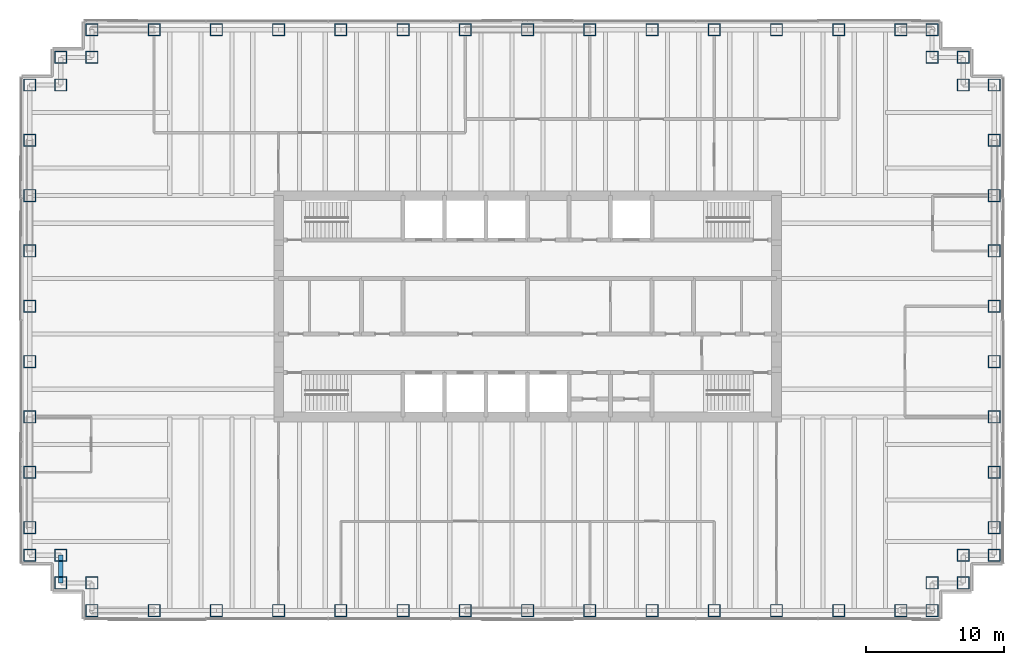
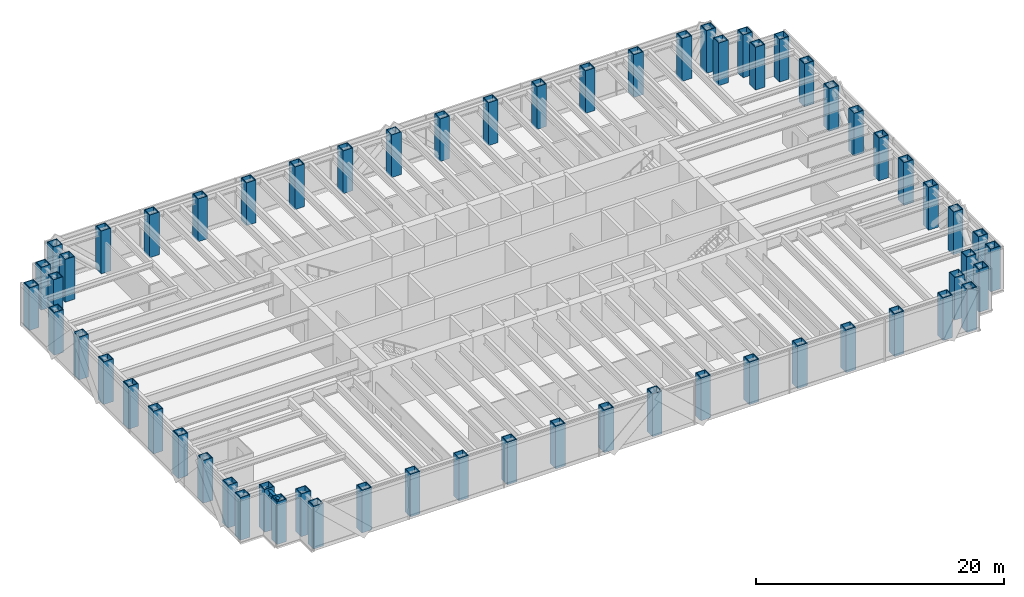
# One storey, part 1 of 17: 62 columns, 1 beam.
"""IFC4 building model written with IfcOpenShell, lengths in metres."""

from ifc_helpers import new_model, si_unit, direction, frame, origin, origin_2d, place, context, subcontext, project, spatial, hollow_rectangle, i_section, extrude, material, material_profile, profile_set, type_object, element, save


model = new_model("IFC4")

# Units and contexts
model_context = context("Model", 3, precision=1e-05, world=origin(), true_north=direction((0.0, 1.0)))
body_context = subcontext(model_context, "Body", "Model", "MODEL_VIEW")
ifc_project = project(units=[si_unit("LENGTHUNIT", "METRE"), si_unit("AREAUNIT", "SQUARE_METRE"), si_unit("VOLUMEUNIT", "CUBIC_METRE"), si_unit("PLANEANGLEUNIT", "RADIAN"), si_unit("MASSUNIT", "GRAM", prefix="KILO")], contexts=[model_context])

# Site, building, storey
site_placement = place(None, origin())
site = spatial("IfcSite", under=ifc_project, at=site_placement, CompositionType="ELEMENT")
building_placement = place(site_placement, origin())
building = spatial("IfcBuilding", under=site, at=building_placement, Name="Rheinbord Bourse Tower", CompositionType="ELEMENT")
storey_placement = place(building_placement, frame((0.0, 0.0, 300.5)))
storey = spatial("IfcBuildingStorey", under=building, at=storey_placement, Name="L68", CompositionType="ELEMENT", Elevation=300.5)

# Columns
ifc_material_1 = material(Name="Steel S460M", Category="steel")
ifc_material_profile_1 = material_profile(ifc_material_1, hollow_rectangle(XDim=0.89990234375, YDim=0.89990234375, WallThickness=0.06005859375, at=origin_2d()), Name="BOX 900x900x60")
ifc_profile_set_1 = profile_set([ifc_material_profile_1], Name="Steel S460M")
column_type = type_object("IfcColumnType", Name="TUBE COLUMN BOX 900x900x60", PredefinedType="COLUMN", material=ifc_profile_set_1)
for number, where, z_axis, x_axis, name in (
    (1, (4.5, 2.0, 0.0), (0.0, 0.0, 1.0), (0.0, 1.0, 0.0), "Column SW-E L68"),
    (2, (9.0, 2.0, 0.0), (0.0, 0.0, 1.0), (0.0, 1.0, 0.0), "Column S-9 L68"),
    (3, (13.5, 2.0, 0.0), (0.0, 0.0, 1.0), (0.0, 1.0, 0.0), "Column S-13.5 L68"),
    (4, (18.0, 2.0, 0.0), (0.0, 0.0, 1.0), (0.0, 1.0, 0.0), "Column S-18 L68"),
    (5, (22.5, 2.0, 0.0), (0.0, 0.0, 1.0), (0.0, 1.0, 0.0), "Column S-22.5 L68"),
    (6, (27.0, 2.0, 0.0), (0.0, 0.0, 1.0), (0.0, 1.0, 0.0), "Column S-27 L68"),
    (7, (31.5, 2.0, 0.0), (0.0, 0.0, 1.0), (0.0, 1.0, 0.0), "Column S-31.5 L68"),
    (8, (36.0, 2.0, 0.0), (0.0, 0.0, 1.0), (0.0, 1.0, 0.0), "Column S-36 L68"),
    (9, (40.5, 2.0, 0.0), (0.0, 0.0, 1.0), (0.0, 1.0, 0.0), "Column S-40.5 L68"),
    (10, (45.0, 2.0, 0.0), (0.0, 0.0, 1.0), (0.0, 1.0, 0.0), "Column S-45 L68"),
    (11, (49.5, 2.0, 0.0), (0.0, 0.0, 1.0), (0.0, 1.0, 0.0), "Column S-49.5 L68"),
    (12, (54.0, 2.0, 0.0), (0.0, 0.0, 1.0), (0.0, 1.0, 0.0), "Column S-54 L68"),
    (13, (58.5, 2.0, 0.0), (0.0, 0.0, 1.0), (0.0, 1.0, 0.0), "Column S-58.5 L68"),
    (14, (63.0, 2.0, 0.0), (0.0, 0.0, 1.0), (0.0, 1.0, 0.0), "Column S-63 L68"),
    (15, (65.25, 2.0, 0.0), (0.0, 0.0, 1.0), (0.0, 1.0, 0.0), "Column SE-E L68"),
    (16, (65.25, 4.0, 0.0), (0.0, 0.0, 1.0), (0.0, 1.0, 0.0), "Column SE-D L68"),
    (17, (67.5, 4.0, 0.0), (0.0, 0.0, 1.0), (1.0, 0.0, 0.0), "Column SE-C L68"),
    (18, (67.5, 6.0, 0.0), (0.0, 0.0, 1.0), (1.0, 0.0, 0.0), "Column SE-B L68"),
    (19, (69.75, 6.0, 0.0), (0.0, 0.0, 1.0), (1.0, 0.0, 0.0), "Column SE-A L68"),
    (20, (69.75, 8.0, 0.0), (0.0, 0.0, 1.0), (1.0, 0.0, 0.0), "Column E-8 L68"),
    (21, (69.75, 12.0, 0.0), (0.0, 0.0, 1.0), (1.0, 0.0, 0.0), "Column E-12 L68"),
    (22, (69.75, 16.0, 0.0), (0.0, 0.0, 1.0), (1.0, 0.0, 0.0), "Column E-16 L68"),
    (23, (69.75, 20.0, 0.0), (0.0, 0.0, 1.0), (1.0, 0.0, 0.0), "Column E-20 L68"),
    (24, (69.75, 24.0, 0.0), (0.0, 0.0, 1.0), (1.0, 0.0, 0.0), "Column E-24 L68"),
    (25, (69.75, 28.0, 0.0), (0.0, 0.0, 1.0), (1.0, 0.0, 0.0), "Column E-28 L68"),
    (26, (69.75, 32.0, 0.0), (0.0, 0.0, 1.0), (1.0, 0.0, 0.0), "Column E-32 L68"),
    (27, (69.75, 36.0, 0.0), (0.0, 0.0, 1.0), (1.0, 0.0, 0.0), "Column E-36 L68"),
    (28, (69.75, 40.0, 0.0), (0.0, 0.0, 1.0), (1.0, 0.0, 0.0), "Column NE-A L68"),
    (29, (67.5, 40.0, 0.0), (0.0, 0.0, 1.0), (1.0, 0.0, 0.0), "Column NE-B L68"),
    (30, (67.5, 42.0, 0.0), (0.0, 0.0, 1.0), (1.0, 0.0, 0.0), "Column NE-C L68"),
    (31, (65.25, 42.0, 0.0), (0.0, 0.0, 1.0), (0.0, 1.0, 0.0), "Column NE-D L68"),
    (32, (65.25, 44.0, 0.0), (0.0, 0.0, 1.0), (0.0, 1.0, 0.0), "Column NE-E L68"),
    (33, (63.0, 44.0, 0.0), (0.0, 0.0, 1.0), (0.0, 1.0, 0.0), "Column N-63 L68"),
    (34, (58.5, 44.0, 0.0), (0.0, 0.0, 1.0), (0.0, 1.0, 0.0), "Column N-58.5 L68"),
    (35, (54.0, 44.0, 0.0), (0.0, 0.0, 1.0), (0.0, 1.0, 0.0), "Column N-54 L68"),
    (36, (49.5, 44.0, 0.0), (0.0, 0.0, 1.0), (0.0, 1.0, 0.0), "Column N-49.5 L68"),
    (37, (45.0, 44.0, 0.0), (0.0, 0.0, 1.0), (0.0, 1.0, 0.0), "Column N-45 L68"),
    (38, (40.5, 44.0, 0.0), (0.0, 0.0, 1.0), (0.0, 1.0, 0.0), "Column N-40.5 L68"),
    (39, (36.0, 44.0, 0.0), (0.0, 0.0, 1.0), (0.0, 1.0, 0.0), "Column N-36 L68"),
    (40, (31.5, 44.0, 0.0), (0.0, 0.0, 1.0), (0.0, 1.0, 0.0), "Column N-31.5 L68"),
    (41, (27.0, 44.0, 0.0), (0.0, 0.0, 1.0), (0.0, 1.0, 0.0), "Column N-27 L68"),
    (42, (22.5, 44.0, 0.0), (0.0, 0.0, 1.0), (0.0, 1.0, 0.0), "Column N-22.5 L68"),
    (43, (18.0, 44.0, 0.0), (0.0, 0.0, 1.0), (0.0, 1.0, 0.0), "Column N-18 L68"),
    (44, (13.5, 44.0, 0.0), (0.0, 0.0, 1.0), (0.0, 1.0, 0.0), "Column N-13.5 L68"),
    (45, (9.0, 44.0, 0.0), (0.0, 0.0, 1.0), (0.0, 1.0, 0.0), "Column N-9 L68"),
    (46, (4.5, 44.0, 0.0), (0.0, 0.0, 1.0), (0.0, 1.0, 0.0), "Column NW-E L68"),
    (47, (4.5, 42.0, 0.0), (0.0, 0.0, 1.0), (0.0, 1.0, 0.0), "Column NW-D L68"),
    (48, (2.25, 42.0, 0.0), (0.0, 0.0, 1.0), (1.0, 0.0, 0.0), "Column NW-C L68"),
    (49, (2.25, 40.0, 0.0), (0.0, 0.0, 1.0), (1.0, 0.0, 0.0), "Column NW-B L68"),
    (50, (0.0, 40.0, 0.0), (0.0, 0.0, 1.0), (1.0, 0.0, 0.0), "Column NW-A L68"),
    (51, (0.0, 36.0, 0.0), (0.0, 0.0, 1.0), (1.0, 0.0, 0.0), "Column W-36 L68"),
    (52, (0.0, 32.0, 0.0), (0.0, 0.0, 1.0), (1.0, 0.0, 0.0), "Column W-32 L68"),
    (53, (0.0, 28.0, 0.0), (0.0, 0.0, 1.0), (1.0, 0.0, 0.0), "Column W-28 L68"),
    (54, (0.0, 24.0, 0.0), (0.0, 0.0, 1.0), (1.0, 0.0, 0.0), "Column W-24 L68"),
    (55, (0.0, 20.0, 0.0), (0.0, 0.0, 1.0), (1.0, 0.0, 0.0), "Column W-20 L68"),
    (56, (0.0, 16.0, 0.0), (0.0, 0.0, 1.0), (1.0, 0.0, 0.0), "Column W-16 L68"),
    (57, (0.0, 12.0, 0.0), (0.0, 0.0, 1.0), (1.0, 0.0, 0.0), "Column W-12 L68"),
    (58, (0.0, 8.0, 0.0), (0.0, 0.0, 1.0), (1.0, 0.0, 0.0), "Column W-8 L68"),
    (59, (0.0, 6.0, 0.0), (0.0, 0.0, 1.0), (1.0, 0.0, 0.0), "Column SW-A L68"),
    (60, (2.25, 6.0, 0.0), (0.0, 0.0, 1.0), (1.0, 0.0, 0.0), "Column SW-B L68"),
    (61, (2.25, 4.0, 0.0), (0.0, 0.0, 1.0), (1.0, 0.0, 0.0), "Column SW-C L68"),
    (62, (4.5, 4.0, 0.0), (0.0, 0.0, 1.0), (0.0, 1.0, 0.0), "Column SW-D L68"),
):
    element("IfcColumn", number, at=place(storey_placement, frame(where, z_axis=z_axis, x_axis=x_axis)), inside=storey, type_object=column_type, Name=name, PredefinedType="COLUMN", context=body_context, shape_type="SweptSolid", body=[
        extrude(hollow_rectangle(XDim=0.89990234375, YDim=0.89990234375, WallThickness=0.06005859375, at=origin_2d()), origin(), (0.0, 0.0, 1.0), 4.199951171875),
    ])

# Beam
ifc_material_2 = material(Name="Steel S460", Category="steel")
ifc_material_profile_2 = material_profile(ifc_material_2, i_section(OverallWidth=0.300048828125, OverallDepth=0.550048828125, WebThickness=0.014892578125, FlangeThickness=0.029052734375, at=origin_2d()), Name="HEB 550")
ifc_profile_set_2 = profile_set([ifc_material_profile_2], Name="Steel S460")
beam_type = type_object("IfcBeamType", Name="SPANDREL HEB 550", PredefinedType="SPANDREL", material=ifc_profile_set_2)
beam_placement = place(storey_placement, frame((2.25, 6.0, 3.764892578125), z_axis=(0.0, -1.0, 0.0), x_axis=(1.0, 0.0, 0.0)))
element("IfcBeam", 63, at=beam_placement, inside=storey, type_object=beam_type, Name="Spandrel SW-B-SW-C under L69", PredefinedType="SPANDREL", context=body_context, shape_type="SweptSolid", body=[
    extrude(i_section(OverallWidth=0.300048828125, OverallDepth=0.550048828125, WebThickness=0.014892578125, FlangeThickness=0.029052734375, at=origin_2d()), origin(), (0.0, 0.0, 1.0), 2.0),
])

save(model, "model.ifc")
